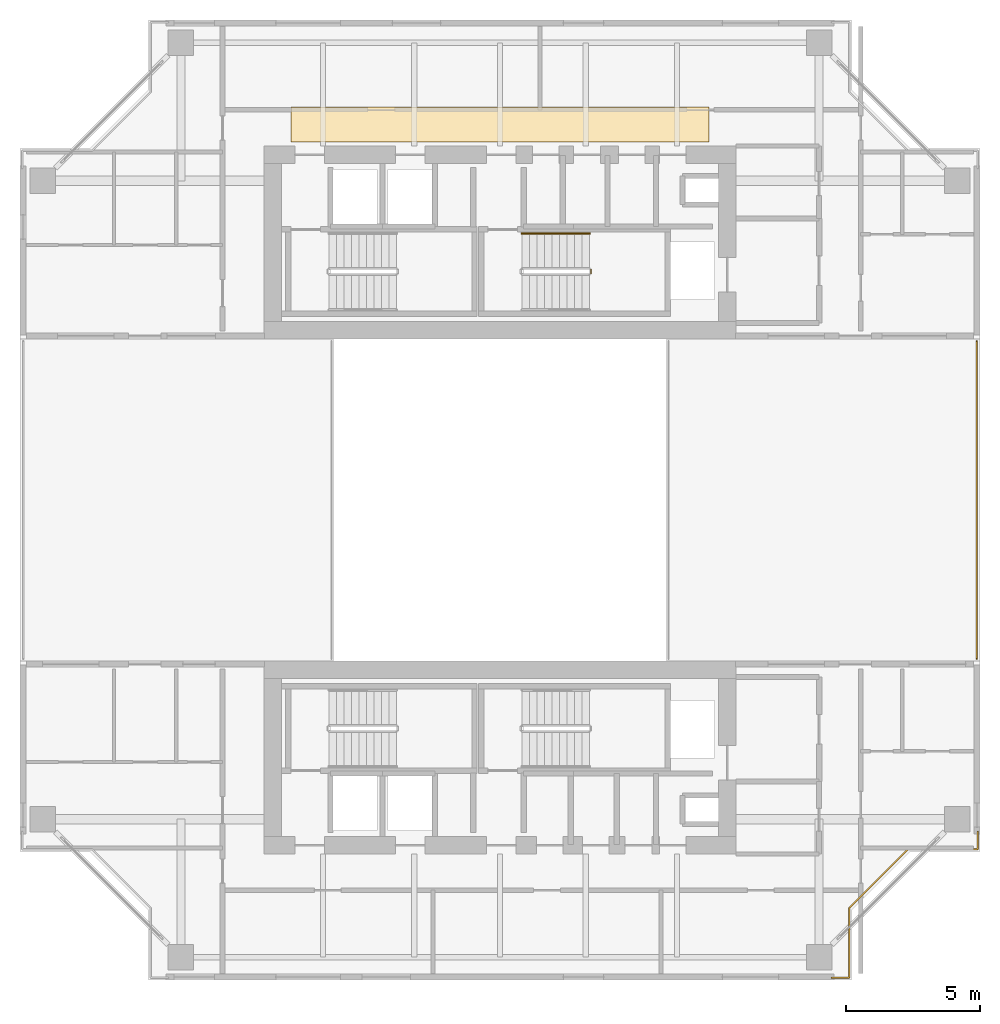
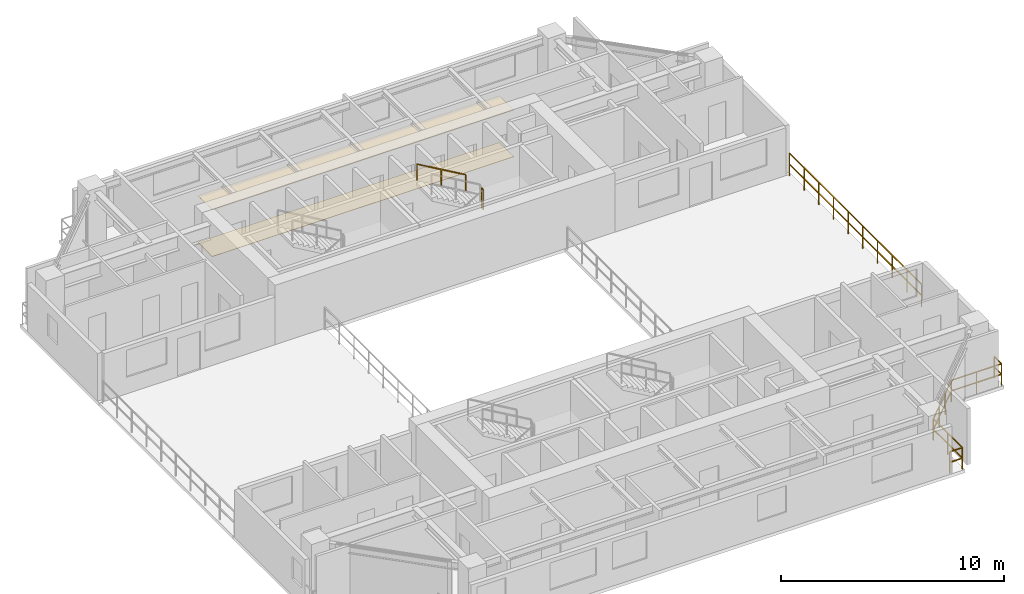
# One storey, part 13 of 14: 4 railings, 2 coverings.
"""IFC4 building model written with IfcOpenShell, lengths in metres."""

import ifcopenshell
import ifcopenshell.guid

model = None  # the IFC model being written
_history = None  # IfcOwnerHistory: only IFC2X3 demands one
_inside = {}  # id of a spatial element -> (the spatial element, [elements in it])
_under = {}  # id of a project, library or spatial element -> (it, [spatial elements below it])
_declared = {}  # id of a project -> (the project, [libraries it declares])
_typed = {}  # id of a type object -> (the type object, [elements of that type])
_made_of = {}  # id of a material, layer set ... -> (it, [elements and type objects made of it])


def new_model(schema):
    """Start an empty IFC model of exactly this schema.

    Asked for "IFC4X3", IfcOpenShell would pick the latest addendum, in which some entities
    have other attributes; the version numbers below select the first issue.
    IFC2X3 requires an IfcOwnerHistory on every rooted entity: one is made here for all.
    """
    global model, _history
    if schema == "IFC4X3":
        model = ifcopenshell.file(schema_version=(4, 3, 0, 0))
    else:
        model = ifcopenshell.file(schema=schema)
    _inside.clear()
    _under.clear()
    _declared.clear()
    _typed.clear()
    _made_of.clear()
    _history = None
    if model.schema == "IFC2X3":
        org = make("IfcOrganization", Name="unknown")
        user = make(
            "IfcPersonAndOrganization",
            ThePerson=make("IfcPerson", FamilyName="unknown"),
            TheOrganization=org,
        )
        app = make(
            "IfcApplication",
            ApplicationDeveloper=org,
            Version="unknown",
            ApplicationFullName="unknown",
            ApplicationIdentifier="unknown",
        )
        _history = make(
            "IfcOwnerHistory",
            OwningUser=user,
            OwningApplication=app,
            ChangeAction="ADDED",
            CreationDate=0,
        )
    return model


def make(cls, **values):
    """One entity of the class cls with the attributes given. An attribute that is None is left unset."""
    return model.create_entity(
        cls, **{name: value for name, value in values.items() if value is not None}
    )


def rooted(cls, **values):
    """An entity with a GlobalId (a new one), such as an element, a storey or a relation."""
    return make(cls, GlobalId=ifcopenshell.guid.new(), OwnerHistory=_history, **values)


def si_unit(unit_type, name, prefix=None):
    """IfcSIUnit, for example si_unit("LENGTHUNIT", "METRE", prefix="MILLI")."""
    return make("IfcSIUnit", UnitType=unit_type, Prefix=prefix, Name=name)


def assignment(units):
    """IfcUnitAssignment: the units of a project."""
    return None if units is None else make("IfcUnitAssignment", Units=units)


def point(xyz):
    """IfcCartesianPoint."""
    return None if xyz is None else make("IfcCartesianPoint", Coordinates=xyz)


def direction(xyz):
    """IfcDirection."""
    return None if xyz is None else make("IfcDirection", DirectionRatios=xyz)


def frame(location, z_axis=None, x_axis=None):
    """IfcAxis2Placement3D, a coordinate frame: its origin and axes. An axis left out is left unset."""
    return make(
        "IfcAxis2Placement3D",
        Location=point(location),
        Axis=direction(z_axis),
        RefDirection=direction(x_axis),
    )


def frame_2d(location, x_axis=None):
    """IfcAxis2Placement2D, a coordinate frame in the plane: its origin and x axis."""
    return make(
        "IfcAxis2Placement2D", Location=point(location), RefDirection=direction(x_axis)
    )


def origin():
    """The frame at (0, 0, 0) with its axes left unset."""
    return frame((0.0, 0.0, 0.0))


def origin_2d():
    """The frame at (0, 0) in the plane with its x axis left unset."""
    return frame_2d((0.0, 0.0))


def place(relative_to, where):
    """IfcLocalPlacement: puts the frame where relative to a parent placement (None: the world)."""
    return make(
        "IfcLocalPlacement", PlacementRelTo=relative_to, RelativePlacement=where
    )


def context(
    kind, dimensions, precision=None, world=None, true_north=None, identifier=None
):
    """IfcGeometricRepresentationContext, for example the 3D "Model" context."""
    return make(
        "IfcGeometricRepresentationContext",
        ContextIdentifier=identifier,
        ContextType=kind,
        CoordinateSpaceDimension=dimensions,
        Precision=precision,
        WorldCoordinateSystem=world,
        TrueNorth=true_north,
    )


def subcontext(parent, identifier, kind, view, scale=None):
    """IfcGeometricRepresentationSubContext, for example "Body" below "Model"."""
    return make(
        "IfcGeometricRepresentationSubContext",
        ContextIdentifier=identifier,
        ContextType=kind,
        ParentContext=parent,
        TargetScale=scale,
        TargetView=view,
    )


def project(units=None, contexts=None):
    """IfcProject with its units and contexts."""
    return rooted(
        "IfcProject",
        Name="project",
        RepresentationContexts=contexts,
        UnitsInContext=assignment(units),
    )


def spatial(cls, under=None, at=None, **own):
    """A site, building, storey or space (cls), placed at a placement, below another one or the project."""
    s = rooted(cls, ObjectPlacement=at, **own)
    if under is not None:
        _under.setdefault(under.id(), (under, []))[1].append(s)
    return s


def polyline(points):
    """IfcPolyline through the points."""
    return make("IfcPolyline", Points=[point(p) for p in points])


def profile(cls, at=None, kind="AREA", **sizes):
    """A parametric profile (cls). Its sizes go by their IFC names, for example OverallWidth=200.0."""
    return make(cls, ProfileType=kind, Position=at, **sizes)


def rectangle(**sizes):
    """IfcRectangleProfileDef."""
    return profile("IfcRectangleProfileDef", **sizes)


def outline(outer, holes=None, kind="AREA"):
    """IfcArbitraryClosedProfileDef: a profile drawn as a closed curve; with holes, ...WithVoids."""
    if holes is None:
        return make("IfcArbitraryClosedProfileDef", ProfileType=kind, OuterCurve=outer)
    return make(
        "IfcArbitraryProfileDefWithVoids",
        ProfileType=kind,
        OuterCurve=outer,
        InnerCurves=holes,
    )


def extrude(swept, where, along, depth):
    """IfcExtrudedAreaSolid: the profile swept, set in the frame where, extruded along a direction by depth."""
    return make(
        "IfcExtrudedAreaSolid",
        SweptArea=swept,
        Position=where,
        ExtrudedDirection=direction(along),
        Depth=depth,
    )


def shape(context_of_items, identifier, shape_type, items):
    """IfcShapeRepresentation: the items that make up one representation, for example the "Body"."""
    return make(
        "IfcShapeRepresentation",
        ContextOfItems=context_of_items,
        RepresentationIdentifier=identifier,
        RepresentationType=shape_type,
        Items=items,
    )


def material(Name=None, Category=None):
    """IfcMaterial."""
    return make("IfcMaterial", Name=Name, Category=Category)


def layer(
    of_material, thickness, ventilated=None, Name=None, Category=None, Priority=None
):
    """IfcMaterialLayer: one layer of a wall or slab, of a material (None: an air gap)."""
    return make(
        "IfcMaterialLayer",
        Material=of_material,
        LayerThickness=thickness,
        IsVentilated=ventilated,
        Name=Name,
        Category=Category,
        Priority=Priority,
    )


def layer_set(layers, Name=None):
    """IfcMaterialLayerSet."""
    return make("IfcMaterialLayerSet", MaterialLayers=layers, LayerSetName=Name)


def made_of(thing, what):
    """Note that an element or type object is made of a material, layer set ...; save() writes the relation."""
    if what is not None:
        _made_of.setdefault(what.id(), (what, []))[1].append(thing)
    return thing


def type_object(cls, material=None, **own):
    """A type object (cls), such as IfcWallType, which elements share."""
    return made_of(rooted(cls, **own), material)


def element(
    cls,
    number,
    at=None,
    inside=None,
    cuts=None,
    type_object=None,
    material=None,
    context=None,
    identifier="Body",
    shape_type=None,
    held_by="IfcProductDefinitionShape",
    body=None,
    shapes=None,
    **own,
):
    """One element of the class cls, such as IfcWall. Its Tag is "e" and its number.

    at: its placement. inside: the storey or other place that contains it. cuts: it is an
    opening in that element (IfcRelVoidsElement). A single representation is given by context,
    identifier, shape_type and body (its items); several are given by shapes. held_by: the class
    of the entity that holds the representations. save() writes the other relations.
    """
    e = rooted(cls, Tag="e%d" % number, ObjectPlacement=at, **own)
    if body is not None:
        shapes = [shape(context, identifier, shape_type, body)]
    if shapes is not None:
        e.Representation = make(held_by, Representations=shapes)
    if inside is not None:
        _inside.setdefault(inside.id(), (inside, []))[1].append(e)
    if cuts is not None:
        rooted(
            "IfcRelVoidsElement", RelatingBuildingElement=cuts, RelatedOpeningElement=e
        )
    if type_object is not None:
        _typed.setdefault(type_object.id(), (type_object, []))[1].append(e)
    return made_of(e, material)


def aggregate(whole, parts):
    """IfcRelAggregates: a whole, such as a stair, and the parts it consists of."""
    return rooted("IfcRelAggregates", RelatingObject=whole, RelatedObjects=parts)


def save(model, path):
    """Write the relations noted so far, then the file.

    IfcRelAggregates (storeys below a building ...), IfcRelContainedInSpatialStructure (elements
    in a storey), IfcRelDefinesByType, IfcRelAssociatesMaterial and IfcRelDeclares: one each for
    every whole, place, type object, material and project.
    """
    for whole, parts in _under.values():
        aggregate(whole, parts)
    for where, things in _inside.values():
        rooted(
            "IfcRelContainedInSpatialStructure",
            RelatedElements=things,
            RelatingStructure=where,
        )
    for kind, things in _typed.values():
        rooted("IfcRelDefinesByType", RelatedObjects=things, RelatingType=kind)
    for what, things in _made_of.values():
        rooted("IfcRelAssociatesMaterial", RelatedObjects=things, RelatingMaterial=what)
    for by, libraries in _declared.values():
        rooted("IfcRelDeclares", RelatingContext=by, RelatedDefinitions=libraries)
    model.write(path)


model = new_model("IFC4")

# Units and contexts
model_context = context("Model", 3, precision=1e-05, world=origin(), true_north=direction((0.0, 1.0)))
body_context = subcontext(model_context, "Body", "Model", "MODEL_VIEW")
ifc_project = project(units=[si_unit("LENGTHUNIT", "METRE"), si_unit("AREAUNIT", "SQUARE_METRE"), si_unit("VOLUMEUNIT", "CUBIC_METRE"), si_unit("PLANEANGLEUNIT", "RADIAN"), si_unit("MASSUNIT", "GRAM", prefix="KILO"), si_unit("THERMODYNAMICTEMPERATUREUNIT", "KELVIN"), si_unit("POWERUNIT", "WATT")], contexts=[model_context])

# Site, building, storey
site_placement = place(None, origin())
site = spatial("IfcSite", under=ifc_project, at=site_placement, CompositionType="ELEMENT")
building_placement = place(site_placement, origin())
building = spatial("IfcBuilding", under=site, at=building_placement, Name="Qiaomeng Ring Towers", CompositionType="ELEMENT")
storey_placement = place(building_placement, frame((0.0, 0.0, 153.5)))
storey = spatial("IfcBuildingStorey", under=building, at=storey_placement, Name="L44", CompositionType="ELEMENT", Elevation=153.5)

# Coverings
ifc_material_1 = material(Name="Mineral fibre acoustic ceiling tile", Category="gypsum")
ifc_layer_1 = layer(ifc_material_1, 0.02490234375, Name="Mineral fibre acoustic ceiling tile")
ifc_layer_set_1 = layer_set([ifc_layer_1], Name="Mineral fibre acoustic ceiling tile")
covering_type_1 = type_object("IfcCoveringType", Name="ARC-COV-CEIL1", PredefinedType="CEILING", material=ifc_layer_set_1)
covering_1_placement = place(storey_placement, frame((0.0, 0.0, 2.550048828125)))
element("IfcCovering", 1, at=covering_1_placement, inside=storey, type_object=covering_type_1, Name="L44 Corridor Acoustic Ceiling", PredefinedType="CEILING", context=body_context, shape_type="SweptSolid", body=[
    extrude(outline(polyline([(11.199951171875, 36.35009765625), (11.199951171875, 37.64990234375), (26.800048828125, 37.64990234375), (26.800048828125, 36.35009765625), (11.199951171875, 36.35009765625)])), origin(), (0.0, 0.0, 1.0), 0.02490234375),
])
ifc_material_2 = material(Name="Vitrified porcelain floor tile", Category="ceramic")
ifc_layer_2 = layer(ifc_material_2, 0.02001953125, Name="Vitrified porcelain floor tile")
ifc_layer_set_2 = layer_set([ifc_layer_2], Name="Vitrified porcelain floor tile")
covering_type_2 = type_object("IfcCoveringType", Name="ARC-COV-FLR1", PredefinedType="FLOORING", material=ifc_layer_set_2)
covering_2_placement = place(storey_placement, origin())
element("IfcCovering", 2, at=covering_2_placement, inside=storey, type_object=covering_type_2, Name="L44 Corridor Stone Flooring", PredefinedType="FLOORING", context=body_context, shape_type="SweptSolid", body=[
    extrude(outline(polyline([(11.199951171875, 36.35009765625), (11.199951171875, 37.64990234375), (26.800048828125, 37.64990234375), (26.800048828125, 36.35009765625), (11.199951171875, 36.35009765625)])), origin(), (0.0, 0.0, 1.0), 0.02001953125),
])

# Railings
ifc_material_3 = material(Name="Low-E pale-green laminated safety glass", Category="glass")
railing_type_1 = type_object("IfcRailingType", Name="ARC-RL-BAL1", PredefinedType="BALUSTRADE", material=ifc_material_3)
railing_1_placement = place(storey_placement, frame((31.3701171875, 5.179931640625, 0.0)))
element("IfcRailing", 3, at=railing_1_placement, inside=storey, type_object=railing_type_1, Name="L44 Balustrade ARC-BAL-NOTCH1-L44-SE", PredefinedType="BALUSTRADE", context=body_context, shape_type="SweptSolid", body=[
    extrude(rectangle(XDim=0.048095703125, YDim=0.048095703125, at=origin_2d()), frame((0.0, 0.0, 1.17578125), z_axis=(1.0, 0.0, 0.0), x_axis=(0.0, 1.0, 0.0)), (0.0, 0.0, 1.0), 0.64990234375),
    extrude(rectangle(XDim=0.048095703125, YDim=0.048095703125, at=origin_2d()), frame((0.0, 0.0, 0.60009765625), z_axis=(1.0, 0.0, 0.0), x_axis=(0.0, 1.0, 0.0)), (0.0, 0.0, 1.0), 0.64990234375),
    extrude(rectangle(XDim=0.048095703125, YDim=0.048095703125, at=origin_2d()), frame((0.64990234375, 0.0, 1.17578125), z_axis=(0.0, 1.0, 0.0), x_axis=(-1.0, 0.0, 0.0)), (0.0, 0.0, 1.0), 2.60009765625),
    extrude(rectangle(XDim=0.048095703125, YDim=0.048095703125, at=origin_2d()), frame((0.64990234375, 0.0, 0.60009765625), z_axis=(0.0, 1.0, 0.0), x_axis=(-1.0, 0.0, 0.0)), (0.0, 0.0, 1.0), 2.60009765625),
    extrude(rectangle(XDim=0.048095703125, YDim=0.048095703125, at=origin_2d()), frame((0.64990234375, 2.60009765625, 1.17578125), z_axis=(0.707106781187, 0.707106781187, 0.0), x_axis=(-0.707106781187, 0.707106781187, 0.0)), (0.0, 0.0, 1.0), 3.111083984375),
    extrude(rectangle(XDim=0.048095703125, YDim=0.048095703125, at=origin_2d()), frame((0.64990234375, 2.60009765625, 0.60009765625), z_axis=(0.707106781187, 0.707106781187, 0.0), x_axis=(-0.707106781187, 0.707106781187, 0.0)), (0.0, 0.0, 1.0), 3.111083984375),
    extrude(rectangle(XDim=0.048095703125, YDim=0.048095703125, at=origin_2d()), frame((2.849853515625, 4.800048828125, 1.17578125), z_axis=(1.0, 0.0, 0.0), x_axis=(0.0, 1.0, 0.0)), (0.0, 0.0, 1.0), 2.60009765625),
    extrude(rectangle(XDim=0.048095703125, YDim=0.048095703125, at=origin_2d()), frame((2.849853515625, 4.800048828125, 0.60009765625), z_axis=(1.0, 0.0, 0.0), x_axis=(0.0, 1.0, 0.0)), (0.0, 0.0, 1.0), 2.60009765625),
    extrude(rectangle(XDim=0.048095703125, YDim=0.048095703125, at=origin_2d()), frame((5.449951171875, 4.800048828125, 1.17578125), z_axis=(0.0, 1.0, 0.0), x_axis=(-1.0, 0.0, 0.0)), (0.0, 0.0, 1.0), 0.64990234375),
    extrude(rectangle(XDim=0.048095703125, YDim=0.048095703125, at=origin_2d()), frame((5.449951171875, 4.800048828125, 0.60009765625), z_axis=(0.0, 1.0, 0.0), x_axis=(-1.0, 0.0, 0.0)), (0.0, 0.0, 1.0), 0.64990234375),
    extrude(rectangle(XDim=0.0419921875, YDim=0.0419921875, at=origin_2d()), origin(), (0.0, 0.0, 1.0), 1.15185546875),
    extrude(rectangle(XDim=0.0419921875, YDim=0.0419921875, at=origin_2d()), frame((0.64990234375, 0.0, 0.0)), (0.0, 0.0, 1.0), 1.15185546875),
    extrude(rectangle(XDim=0.0419921875, YDim=0.0419921875, at=origin_2d()), frame((0.64990234375, 1.300048828125, 0.0)), (0.0, 0.0, 1.0), 1.15185546875),
    extrude(rectangle(XDim=0.0419921875, YDim=0.0419921875, at=origin_2d()), frame((0.64990234375, 2.60009765625, 0.0)), (0.0, 0.0, 1.0), 1.15185546875),
    extrude(rectangle(XDim=0.0419921875, YDim=0.0419921875, at=origin_2d()), frame((1.38330078125, 3.33349609375, 0.0)), (0.0, 0.0, 1.0), 1.15185546875),
    extrude(rectangle(XDim=0.0419921875, YDim=0.0419921875, at=origin_2d()), frame((2.116455078125, 4.066650390625, 0.0)), (0.0, 0.0, 1.0), 1.15185546875),
    extrude(rectangle(XDim=0.0419921875, YDim=0.0419921875, at=origin_2d()), frame((2.849853515625, 4.800048828125, 0.0)), (0.0, 0.0, 1.0), 1.15185546875),
    extrude(rectangle(XDim=0.0419921875, YDim=0.0419921875, at=origin_2d()), frame((4.14990234375, 4.800048828125, 0.0)), (0.0, 0.0, 1.0), 1.15185546875),
    extrude(rectangle(XDim=0.0419921875, YDim=0.0419921875, at=origin_2d()), frame((5.449951171875, 4.800048828125, 0.0)), (0.0, 0.0, 1.0), 1.15185546875),
    extrude(rectangle(XDim=0.0419921875, YDim=0.0419921875, at=origin_2d()), frame((5.449951171875, 5.449951171875, 0.0)), (0.0, 0.0, 1.0), 1.15185546875),
])
ifc_material_4 = material(Name="Stainless steel 316", Category="steel")
railing_type_2 = type_object("IfcRailingType", Name="ARC-RL-BAL2", PredefinedType="BALUSTRADE", material=ifc_material_4)
railing_2_placement = place(storey_placement, frame((36.780029296875, 17.080078125, 0.0)))
element("IfcRailing", 4, at=railing_2_placement, inside=storey, type_object=railing_type_2, Name="L44 Balustrade ARC-BAL-L44-PORTAL-E-OUT", PredefinedType="BALUSTRADE", context=body_context, shape_type="SweptSolid", body=[
    extrude(rectangle(XDim=0.048095703125, YDim=0.048095703125, at=origin_2d()), frame((0.0, 0.0, 1.22607421875), z_axis=(0.0, 1.0, 0.0), x_axis=(-1.0, 0.0, 0.0)), (0.0, 0.0, 1.0), 11.83984375),
    extrude(rectangle(XDim=0.048095703125, YDim=0.048095703125, at=origin_2d()), frame((0.0, 0.0, 0.625), z_axis=(0.0, 1.0, 0.0), x_axis=(-1.0, 0.0, 0.0)), (0.0, 0.0, 1.0), 11.83984375),
    extrude(rectangle(XDim=0.0419921875, YDim=0.0419921875, at=origin_2d()), origin(), (0.0, 0.0, 1.0), 1.201904296875),
    extrude(rectangle(XDim=0.0419921875, YDim=0.0419921875, at=origin_2d()), frame((0.0, 1.3154296875, 0.0)), (0.0, 0.0, 1.0), 1.201904296875),
    extrude(rectangle(XDim=0.0419921875, YDim=0.0419921875, at=origin_2d()), frame((0.0, 2.631103515625, 0.0)), (0.0, 0.0, 1.0), 1.201904296875),
    extrude(rectangle(XDim=0.0419921875, YDim=0.0419921875, at=origin_2d()), frame((0.0, 3.946533203125, 0.0)), (0.0, 0.0, 1.0), 1.201904296875),
    extrude(rectangle(XDim=0.0419921875, YDim=0.0419921875, at=origin_2d()), frame((0.0, 5.26220703125, 0.0)), (0.0, 0.0, 1.0), 1.201904296875),
    extrude(rectangle(XDim=0.0419921875, YDim=0.0419921875, at=origin_2d()), frame((0.0, 6.57763671875, 0.0)), (0.0, 0.0, 1.0), 1.201904296875),
    extrude(rectangle(XDim=0.0419921875, YDim=0.0419921875, at=origin_2d()), frame((0.0, 7.893310546875, 0.0)), (0.0, 0.0, 1.0), 1.201904296875),
    extrude(rectangle(XDim=0.0419921875, YDim=0.0419921875, at=origin_2d()), frame((0.0, 9.208740234375, 0.0)), (0.0, 0.0, 1.0), 1.201904296875),
    extrude(rectangle(XDim=0.0419921875, YDim=0.0419921875, at=origin_2d()), frame((0.0, 10.5244140625, 0.0)), (0.0, 0.0, 1.0), 1.201904296875),
    extrude(rectangle(XDim=0.0419921875, YDim=0.0419921875, at=origin_2d()), frame((0.0, 11.83984375, 0.0)), (0.0, 0.0, 1.0), 1.201904296875),
])
ifc_material_5 = material(Name="Galvanised steel", Category="steel")
railing_type_3 = type_object("IfcRailingType", Name="ARC-RL-GUARD", PredefinedType="GUARDRAIL", material=ifc_material_5)
railing_3_placement = place(storey_placement, frame((22.389892578125, 31.449951171875, 1.625)))
element("IfcRailing", 5, at=railing_3_placement, inside=storey, type_object=railing_type_3, Name="L44 ST2 stair guard 2", PredefinedType="GUARDRAIL", context=body_context, shape_type="SweptSolid", body=[
    extrude(rectangle(XDim=0.048095703125, YDim=0.048095703125, at=origin_2d()), frame((0.0, 0.0, 1.1259765625), z_axis=(0.0, 1.0, 0.0), x_axis=(-1.0, 0.0, 0.0)), (0.0, 0.0, 1.0), 0.14013671875),
    extrude(rectangle(XDim=0.048095703125, YDim=0.048095703125, at=origin_2d()), frame((0.0, 0.0, 0.574951171875), z_axis=(0.0, 1.0, 0.0), x_axis=(-1.0, 0.0, 0.0)), (0.0, 0.0, 1.0), 0.14013671875),
    extrude(rectangle(XDim=0.0419921875, YDim=0.0419921875, at=origin_2d()), origin(), (0.0, 0.0, 1.0), 1.101806640625),
    extrude(rectangle(XDim=0.0419921875, YDim=0.0419921875, at=origin_2d()), frame((0.0, 0.14013671875, 0.0)), (0.0, 0.0, 1.0), 1.101806640625),
])
railing_type_4 = type_object("IfcRailingType", Name="ARC-RL-HAND", PredefinedType="HANDRAIL", material=ifc_material_4)
railing_4_placement = place(storey_placement, frame((22.340087890625, 32.93994140625, 1.78759765625)))
element("IfcRailing", 6, at=railing_4_placement, inside=storey, type_object=railing_type_4, Name="L44 ST2 stair handrail 2", PredefinedType="HANDRAIL", context=body_context, shape_type="SweptSolid", body=[
    extrude(rectangle(XDim=0.048095703125, YDim=0.048095703125, at=origin_2d()), frame((0.0, 0.0, 0.8759765625), z_axis=(-0.864913338283, 0.0, 0.50192122615), x_axis=(0.0, -1.0, 0.0)), (0.0, 0.0, 1.0), 2.91357421875),
    extrude(rectangle(XDim=0.0419921875, YDim=0.0419921875, at=origin_2d()), origin(), (0.0, 0.0, 1.0), 0.851806640625),
    extrude(rectangle(XDim=0.0419921875, YDim=0.0419921875, at=origin_2d()), frame((-1.260009765625, 0.0, 0.731201171875)), (0.0, 0.0, 1.0), 0.851806640625),
    extrude(rectangle(XDim=0.0419921875, YDim=0.0419921875, at=origin_2d()), frame((-2.52001953125, 0.0, 1.46240234375)), (0.0, 0.0, 1.0), 0.851806640625),
])

save(model, "model.ifc")
